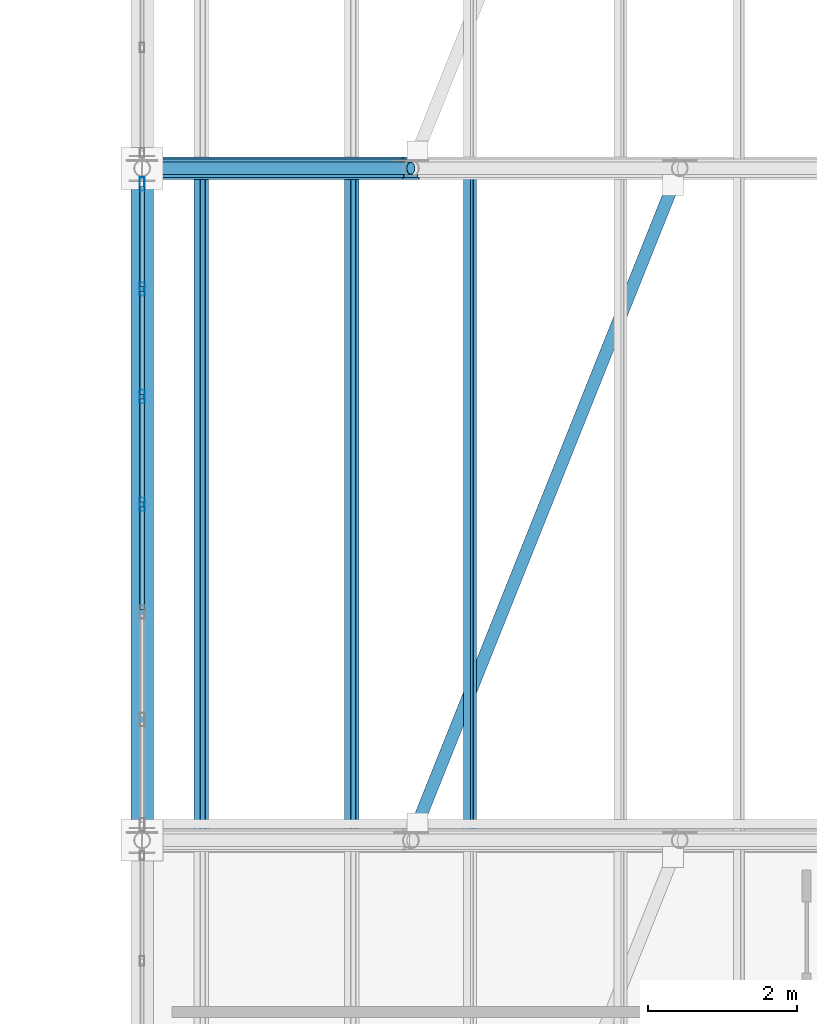
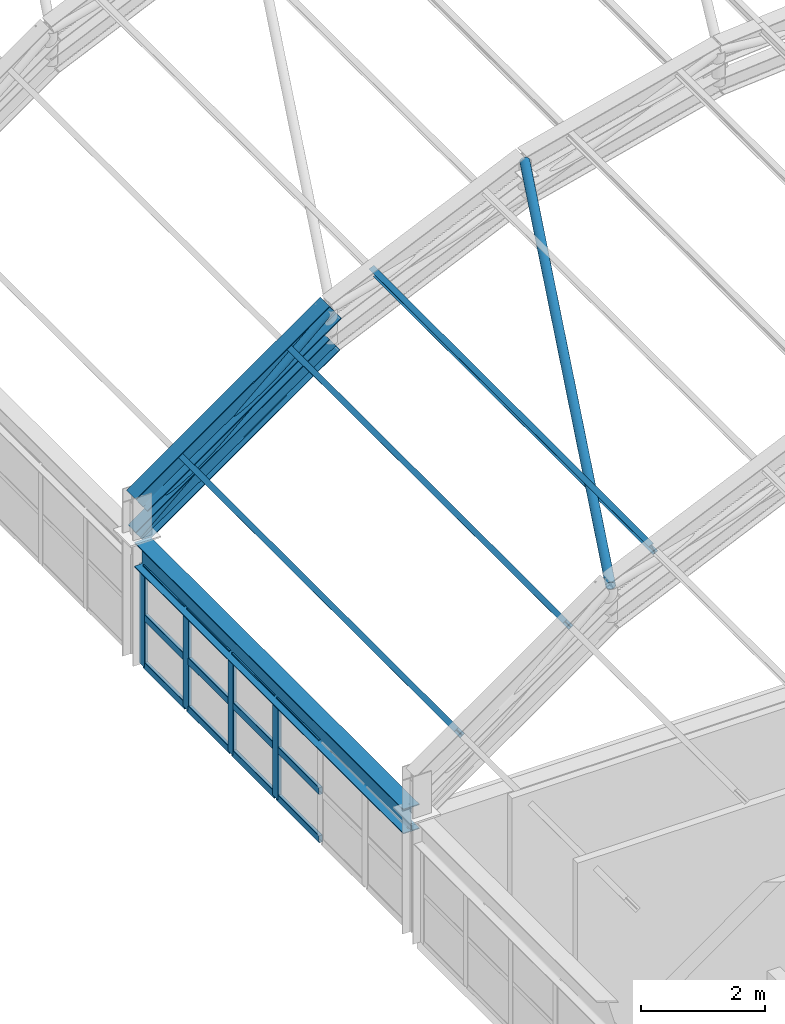
# One storey, part 30 of 121: 22 members, 2 beams, 1 element without a shape of its own.
"""IFC4 building model written with IfcOpenShell, lengths in metres."""

from ifc_helpers import new_model, si_unit, direction, frame, origin, origin_2d, place, context, subcontext, project, spatial, hollow_rectangle, hollow_circle, i_section, extrude, material, material_profile, profile_set, type_object, element, aggregate, save


model = new_model("IFC4")

# Units and contexts
model_context = context("Model", 3, precision=1e-05, world=origin(), true_north=direction((0.0, 1.0)))
body_context = subcontext(model_context, "Body", "Model", "MODEL_VIEW")
ifc_project = project(units=[si_unit("LENGTHUNIT", "METRE"), si_unit("AREAUNIT", "SQUARE_METRE"), si_unit("VOLUMEUNIT", "CUBIC_METRE"), si_unit("PLANEANGLEUNIT", "RADIAN"), si_unit("MASSUNIT", "GRAM", prefix="KILO")], contexts=[model_context])

# Site, building, storey
site_placement = place(None, origin())
site = spatial("IfcSite", under=ifc_project, at=site_placement, CompositionType="ELEMENT")
building_placement = place(site_placement, origin())
building = spatial("IfcBuilding", under=site, at=building_placement, Name="Canglan Escarpment Cableway Terminal", CompositionType="ELEMENT")
storey_placement = place(building_placement, frame((0.0, 0.0, 24.60009765625)))
storey = spatial("IfcBuildingStorey", under=building, at=storey_placement, Name="L05", CompositionType="ELEMENT", Elevation=24.60009765625)

# Beams
ifc_material_1 = material(Name="Steel Q355B", Category="steel")
ifc_material_profile_1 = material_profile(ifc_material_1, i_section(OverallWidth=0.300048828125, OverallDepth=0.389892578125, WebThickness=0.010009765625, FlangeThickness=0.01611328125, FilletRadius=0.02197265625, at=origin_2d()), Name="HM 390x300x10x16")
ifc_profile_set_1 = profile_set([ifc_material_profile_1], Name="Steel Q355B")
beam_type_1 = type_object("IfcBeamType", Name="BM-ARCH-TOP-HM390", PredefinedType="BEAM", material=ifc_profile_set_1)
beam_1_placement = place(storey_placement, frame((137.60009765625, 61.0, 3.08251953125), z_axis=(0.817731009495, 0.0, 0.575600552563), x_axis=(0.0, 1.0, 0.0)))
element("IfcBeam", 1, at=beam_1_placement, inside=storey, type_object=beam_type_1, Name="Vault ROOF TRUSS arch top chord AR-TC1", PredefinedType="BEAM", context=body_context, shape_type="SweptSolid", body=[
    extrude(i_section(OverallWidth=0.300048828125, OverallDepth=0.389892578125, WebThickness=0.010009765625, FlangeThickness=0.01611328125, FilletRadius=0.02197265625, at=origin_2d()), origin(), (0.0, 0.0, 1.0), 4.40234375),
])
ifc_material_profile_2 = material_profile(ifc_material_1, i_section(OverallWidth=0.300048828125, OverallDepth=0.488037109375, WebThickness=0.010986328125, FlangeThickness=0.01806640625, FilletRadius=0.02587890625, at=origin_2d()), Name="HM 488x300x11x18")
ifc_profile_set_2 = profile_set([ifc_material_profile_2], Name="Steel Q355B")
beam_type_2 = type_object("IfcBeamType", Name="BM-HM488", PredefinedType="BEAM", material=ifc_profile_set_2)
beam_2_placement = place(storey_placement, frame((137.60009765625, 52.175048828125, 2.1884765625), z_axis=(0.0, 1.0, 0.0), x_axis=(-1.0, 0.0, 0.0)))
element("IfcBeam", 2, at=beam_2_placement, inside=storey, type_object=beam_type_2, Name="Vault springing ring girder B-09", PredefinedType="BEAM", context=body_context, shape_type="SweptSolid", body=[
    extrude(i_section(OverallWidth=0.300048828125, OverallDepth=0.488037109375, WebThickness=0.010986328125, FlangeThickness=0.01806640625, FilletRadius=0.02587890625, at=origin_2d()), origin(), (0.0, 0.0, 1.0), 8.64990234375),
])

# Curtain wall, members
ifc_material_2 = material(Name="Anodized bronze aluminium and Low-E double glazing", Category="aluminium")
curtain_wall_type = type_object("IfcCurtainWallType", Name="CW-BAY-8650x1950", PredefinedType="NOTDEFINED", material=ifc_material_2)
curtain_wall_placement = place(storey_placement, origin())
curtain_wall = element("IfcCurtainWall", 3, at=curtain_wall_placement, inside=storey, type_object=curtain_wall_type, Name="Classical bay-between-piers glazed curtain wall CW-66", PredefinedType="NOTDEFINED")
ifc_material_3 = material(Name="Thermally broken anodized aluminium 6063-T6", Category="aluminium")
ifc_material_profile_3 = material_profile(ifc_material_3, hollow_rectangle(XDim=0.06494140625, YDim=0.179931640625, WallThickness=0.00390625, InnerFilletRadius=0.00390625, OuterFilletRadius=0.008056640625, at=origin_2d()), Name="ALU-MULL 65x180x4")
ifc_profile_set_3 = profile_set([ifc_material_profile_3], Name="Thermally broken anodized aluminium 6063-T6")
member_type_1 = type_object("IfcMemberType", Name="CWM-03", PredefinedType="MULLION", material=ifc_profile_set_3)
member_1_placement = place(storey_placement, frame((137.60009765625, 60.79248046875, 0.0), z_axis=(0.0, 0.0, 1.0), x_axis=(1.0, 0.0, 0.0)))
member_1 = element("IfcMember", 4, at=member_1_placement, type_object=member_type_1, Name="CW-66 mullion 1", PredefinedType="MULLION", context=body_context, shape_type="SweptSolid", body=[
    extrude(hollow_rectangle(XDim=0.06494140625, YDim=0.179931640625, WallThickness=0.00390625, InnerFilletRadius=0.00390625, OuterFilletRadius=0.008056640625, at=origin_2d()), origin(), (0.0, 0.0, 1.0), 1.949951171875),
])
member_2_placement = place(storey_placement, frame((137.60009765625, 59.38330078125, 0.0), z_axis=(0.0, 0.0, 1.0), x_axis=(1.0, 0.0, 0.0)))
member_2 = element("IfcMember", 5, at=member_2_placement, type_object=member_type_1, Name="CW-66 mullion 2", PredefinedType="MULLION", context=body_context, shape_type="SweptSolid", body=[
    extrude(hollow_rectangle(XDim=0.06494140625, YDim=0.179931640625, WallThickness=0.00390625, InnerFilletRadius=0.00390625, OuterFilletRadius=0.008056640625, at=origin_2d()), origin(), (0.0, 0.0, 1.0), 1.949951171875),
])
member_3_placement = place(storey_placement, frame((137.60009765625, 57.941650390625, 0.0), z_axis=(0.0, 0.0, 1.0), x_axis=(1.0, 0.0, 0.0)))
member_3 = element("IfcMember", 6, at=member_3_placement, type_object=member_type_1, Name="CW-66 mullion 3", PredefinedType="MULLION", context=body_context, shape_type="SweptSolid", body=[
    extrude(hollow_rectangle(XDim=0.06494140625, YDim=0.179931640625, WallThickness=0.00390625, InnerFilletRadius=0.00390625, OuterFilletRadius=0.008056640625, at=origin_2d()), origin(), (0.0, 0.0, 1.0), 1.949951171875),
])
member_4_placement = place(storey_placement, frame((137.60009765625, 56.5, 0.0), z_axis=(0.0, 0.0, 1.0), x_axis=(1.0, 0.0, 0.0)))
member_4 = element("IfcMember", 7, at=member_4_placement, type_object=member_type_1, Name="CW-66 mullion 4", PredefinedType="MULLION", context=body_context, shape_type="SweptSolid", body=[
    extrude(hollow_rectangle(XDim=0.06494140625, YDim=0.179931640625, WallThickness=0.00390625, InnerFilletRadius=0.00390625, OuterFilletRadius=0.008056640625, at=origin_2d()), origin(), (0.0, 0.0, 1.0), 1.949951171875),
])
ifc_material_profile_4 = material_profile(ifc_material_3, hollow_rectangle(XDim=0.06494140625, YDim=0.139892578125, WallThickness=0.00341796875, InnerFilletRadius=0.00341796875, OuterFilletRadius=0.007080078125, at=origin_2d()), Name="ALU-TRAN 65x140x3.5")
ifc_profile_set_4 = profile_set([ifc_material_profile_4], Name="Thermally broken anodized aluminium 6063-T6")
member_type_2 = type_object("IfcMemberType", Name="CWT-03", PredefinedType="USERDEFINED", material=ifc_profile_set_4)
member_5_placement = place(storey_placement, frame((137.60009765625, 60.760009765625, 0.032470703125), z_axis=(0.0, -1.0, 0.0), x_axis=(1.0, 0.0, 0.0)))
member_5 = element("IfcMember", 8, at=member_5_placement, type_object=member_type_2, Name="CW-66 transom 1.1", ObjectType="TRANSOM", PredefinedType="USERDEFINED", context=body_context, shape_type="SweptSolid", body=[
    extrude(hollow_rectangle(XDim=0.06494140625, YDim=0.139892578125, WallThickness=0.00341796875, InnerFilletRadius=0.00341796875, OuterFilletRadius=0.007080078125, at=origin_2d()), origin(), (0.0, 0.0, 1.0), 1.34423828125),
])
member_6_placement = place(storey_placement, frame((137.60009765625, 60.760009765625, 0.974853515625), z_axis=(0.0, -1.0, 0.0), x_axis=(1.0, 0.0, 0.0)))
member_6 = element("IfcMember", 9, at=member_6_placement, type_object=member_type_2, Name="CW-66 transom 1.2", ObjectType="TRANSOM", PredefinedType="USERDEFINED", context=body_context, shape_type="SweptSolid", body=[
    extrude(hollow_rectangle(XDim=0.06494140625, YDim=0.139892578125, WallThickness=0.00341796875, InnerFilletRadius=0.00341796875, OuterFilletRadius=0.007080078125, at=origin_2d()), origin(), (0.0, 0.0, 1.0), 1.34423828125),
])
member_7_placement = place(storey_placement, frame((137.60009765625, 60.760009765625, 1.91748046875), z_axis=(0.0, -1.0, 0.0), x_axis=(1.0, 0.0, 0.0)))
member_7 = element("IfcMember", 10, at=member_7_placement, type_object=member_type_2, Name="CW-66 transom 1.3", ObjectType="TRANSOM", PredefinedType="USERDEFINED", context=body_context, shape_type="SweptSolid", body=[
    extrude(hollow_rectangle(XDim=0.06494140625, YDim=0.139892578125, WallThickness=0.00341796875, InnerFilletRadius=0.00341796875, OuterFilletRadius=0.007080078125, at=origin_2d()), origin(), (0.0, 0.0, 1.0), 1.34423828125),
])
member_8_placement = place(storey_placement, frame((137.60009765625, 59.350830078125, 0.032470703125), z_axis=(0.0, -1.0, 0.0), x_axis=(1.0, 0.0, 0.0)))
member_8 = element("IfcMember", 11, at=member_8_placement, type_object=member_type_2, Name="CW-66 transom 2.1", ObjectType="TRANSOM", PredefinedType="USERDEFINED", context=body_context, shape_type="SweptSolid", body=[
    extrude(hollow_rectangle(XDim=0.06494140625, YDim=0.139892578125, WallThickness=0.00341796875, InnerFilletRadius=0.00341796875, OuterFilletRadius=0.007080078125, at=origin_2d()), origin(), (0.0, 0.0, 1.0), 1.376708984375),
])
member_9_placement = place(storey_placement, frame((137.60009765625, 59.350830078125, 0.974853515625), z_axis=(0.0, -1.0, 0.0), x_axis=(1.0, 0.0, 0.0)))
member_9 = element("IfcMember", 12, at=member_9_placement, type_object=member_type_2, Name="CW-66 transom 2.2", ObjectType="TRANSOM", PredefinedType="USERDEFINED", context=body_context, shape_type="SweptSolid", body=[
    extrude(hollow_rectangle(XDim=0.06494140625, YDim=0.139892578125, WallThickness=0.00341796875, InnerFilletRadius=0.00341796875, OuterFilletRadius=0.007080078125, at=origin_2d()), origin(), (0.0, 0.0, 1.0), 1.376708984375),
])
member_10_placement = place(storey_placement, frame((137.60009765625, 59.350830078125, 1.91748046875), z_axis=(0.0, -1.0, 0.0), x_axis=(1.0, 0.0, 0.0)))
member_10 = element("IfcMember", 13, at=member_10_placement, type_object=member_type_2, Name="CW-66 transom 2.3", ObjectType="TRANSOM", PredefinedType="USERDEFINED", context=body_context, shape_type="SweptSolid", body=[
    extrude(hollow_rectangle(XDim=0.06494140625, YDim=0.139892578125, WallThickness=0.00341796875, InnerFilletRadius=0.00341796875, OuterFilletRadius=0.007080078125, at=origin_2d()), origin(), (0.0, 0.0, 1.0), 1.376708984375),
])
member_11_placement = place(storey_placement, frame((137.60009765625, 57.9091796875, 0.032470703125), z_axis=(0.0, -1.0, 0.0), x_axis=(1.0, 0.0, 0.0)))
member_11 = element("IfcMember", 14, at=member_11_placement, type_object=member_type_2, Name="CW-66 transom 3.1", ObjectType="TRANSOM", PredefinedType="USERDEFINED", context=body_context, shape_type="SweptSolid", body=[
    extrude(hollow_rectangle(XDim=0.06494140625, YDim=0.139892578125, WallThickness=0.00341796875, InnerFilletRadius=0.00341796875, OuterFilletRadius=0.007080078125, at=origin_2d()), origin(), (0.0, 0.0, 1.0), 1.376708984375),
])
member_12_placement = place(storey_placement, frame((137.60009765625, 57.9091796875, 0.974853515625), z_axis=(0.0, -1.0, 0.0), x_axis=(1.0, 0.0, 0.0)))
member_12 = element("IfcMember", 15, at=member_12_placement, type_object=member_type_2, Name="CW-66 transom 3.2", ObjectType="TRANSOM", PredefinedType="USERDEFINED", context=body_context, shape_type="SweptSolid", body=[
    extrude(hollow_rectangle(XDim=0.06494140625, YDim=0.139892578125, WallThickness=0.00341796875, InnerFilletRadius=0.00341796875, OuterFilletRadius=0.007080078125, at=origin_2d()), origin(), (0.0, 0.0, 1.0), 1.376708984375),
])
member_13_placement = place(storey_placement, frame((137.60009765625, 57.9091796875, 1.91748046875), z_axis=(0.0, -1.0, 0.0), x_axis=(1.0, 0.0, 0.0)))
member_13 = element("IfcMember", 16, at=member_13_placement, type_object=member_type_2, Name="CW-66 transom 3.3", ObjectType="TRANSOM", PredefinedType="USERDEFINED", context=body_context, shape_type="SweptSolid", body=[
    extrude(hollow_rectangle(XDim=0.06494140625, YDim=0.139892578125, WallThickness=0.00341796875, InnerFilletRadius=0.00341796875, OuterFilletRadius=0.007080078125, at=origin_2d()), origin(), (0.0, 0.0, 1.0), 1.376708984375),
])
member_14_placement = place(storey_placement, frame((137.60009765625, 56.467529296875, 0.032470703125), z_axis=(0.0, -1.0, 0.0), x_axis=(1.0, 0.0, 0.0)))
member_14 = element("IfcMember", 17, at=member_14_placement, type_object=member_type_2, Name="CW-66 transom 4.1", ObjectType="TRANSOM", PredefinedType="USERDEFINED", context=body_context, shape_type="SweptSolid", body=[
    extrude(hollow_rectangle(XDim=0.06494140625, YDim=0.139892578125, WallThickness=0.00341796875, InnerFilletRadius=0.00341796875, OuterFilletRadius=0.007080078125, at=origin_2d()), origin(), (0.0, 0.0, 1.0), 1.376708984375),
])
member_15_placement = place(storey_placement, frame((137.60009765625, 56.467529296875, 0.974853515625), z_axis=(0.0, -1.0, 0.0), x_axis=(1.0, 0.0, 0.0)))
member_15 = element("IfcMember", 18, at=member_15_placement, type_object=member_type_2, Name="CW-66 transom 4.2", ObjectType="TRANSOM", PredefinedType="USERDEFINED", context=body_context, shape_type="SweptSolid", body=[
    extrude(hollow_rectangle(XDim=0.06494140625, YDim=0.139892578125, WallThickness=0.00341796875, InnerFilletRadius=0.00341796875, OuterFilletRadius=0.007080078125, at=origin_2d()), origin(), (0.0, 0.0, 1.0), 1.376708984375),
])
member_16_placement = place(storey_placement, frame((137.60009765625, 56.467529296875, 1.91748046875), z_axis=(0.0, -1.0, 0.0), x_axis=(1.0, 0.0, 0.0)))
member_16 = element("IfcMember", 19, at=member_16_placement, type_object=member_type_2, Name="CW-66 transom 4.3", ObjectType="TRANSOM", PredefinedType="USERDEFINED", context=body_context, shape_type="SweptSolid", body=[
    extrude(hollow_rectangle(XDim=0.06494140625, YDim=0.139892578125, WallThickness=0.00341796875, InnerFilletRadius=0.00341796875, OuterFilletRadius=0.007080078125, at=origin_2d()), origin(), (0.0, 0.0, 1.0), 1.376708984375),
])
aggregate(curtain_wall, [member_1, member_2, member_3, member_4, member_5, member_6, member_7, member_8, member_9, member_10, member_11, member_12, member_13, member_14, member_15, member_16])

# Members
ifc_material_profile_5 = material_profile(ifc_material_1, i_section(OverallWidth=0.25, OverallDepth=0.340087890625, WebThickness=0.009033203125, FlangeThickness=0.013916015625, FilletRadius=0.02001953125, at=origin_2d()), Name="HM 340x250x9x14")
ifc_profile_set_5 = profile_set([ifc_material_profile_5], Name="Steel Q355B")
member_type_3 = type_object("IfcMemberType", Name="MB-ARCH-BOT-HM340", PredefinedType="CHORD", material=ifc_profile_set_5)
member_17_placement = place(storey_placement, frame((137.60009765625, 61.0, 2.432373046875), z_axis=(0.81770490607, 0.0, 0.575637634792), x_axis=(0.0, 1.0, 0.0)))
element("IfcMember", 20, at=member_17_placement, inside=storey, type_object=member_type_3, Name="Vault ROOF TRUSS arch bottom chord AR-BC1", PredefinedType="CHORD", context=body_context, shape_type="SweptSolid", body=[
    extrude(i_section(OverallWidth=0.25, OverallDepth=0.340087890625, WebThickness=0.009033203125, FlangeThickness=0.013916015625, FilletRadius=0.02001953125, at=origin_2d()), origin(), (0.0, 0.0, 1.0), 4.40234375),
])
ifc_material_profile_6 = material_profile(ifc_material_1, hollow_circle(Radius=0.084228515625, WallThickness=0.006103515625, at=origin_2d()), Name="CHS 168.3x6")
ifc_profile_set_6 = profile_set([ifc_material_profile_6], Name="Steel Q355B")
member_type_4 = type_object("IfcMemberType", Name="MB-ARCH-DIAG-CHS168", PredefinedType="BRACE", material=ifc_profile_set_6)
member_18_placement = place(storey_placement, frame((137.60009765625, 61.0, 2.432373046875), z_axis=(0.749038254518, 0.0, 0.662526749096), x_axis=(0.0, 1.0, 0.0)))
element("IfcMember", 21, at=member_18_placement, inside=storey, type_object=member_type_4, Name="Vault ROOF TRUSS web diagonal AR-DG1", PredefinedType="BRACE", context=body_context, shape_type="SweptSolid", body=[
    extrude(hollow_circle(Radius=0.084228515625, WallThickness=0.006103515625, at=origin_2d()), origin(), (0.0, 0.0, 1.0), 4.805908203125),
])
ifc_material_profile_7 = material_profile(ifc_material_1, hollow_circle(Radius=0.084228515625, WallThickness=0.006103515625, at=origin_2d()), Name="CHS 168.3x6")
ifc_profile_set_7 = profile_set([ifc_material_profile_7], Name="Steel Q355B")
member_type_5 = type_object("IfcMemberType", Name="MB-ROOF-BR-CHS168", PredefinedType="BRACE", material=ifc_profile_set_7)
member_19_placement = place(storey_placement, frame((141.199951171875, 52.0, 5.616455078125), z_axis=(0.366307573698, 0.915744093096, 0.165019748547), x_axis=(-0.928473216852, 0.37139936132, 0.0)))
element("IfcMember", 22, at=member_19_placement, inside=storey, type_object=member_type_5, Name="Vault roof plane wind brace BR-03", PredefinedType="BRACE", context=body_context, shape_type="SweptSolid", body=[
    extrude(hollow_circle(Radius=0.084228515625, WallThickness=0.006103515625, at=origin_2d()), origin(), (0.0, 0.0, 1.0), 9.828125),
])
ifc_material_profile_8 = material_profile(ifc_material_1, i_section(OverallWidth=0.10009765625, OverallDepth=0.199951171875, WebThickness=0.005615234375, FlangeThickness=0.008056640625, FilletRadius=0.010986328125, at=origin_2d()), Name="HN 200x100x5.5x8")
ifc_profile_set_8 = profile_set([ifc_material_profile_8], Name="Steel Q355B")
member_type_6 = type_object("IfcMemberType", Name="MB-VAULT-PUR-HN200", PredefinedType="PURLIN", material=ifc_profile_set_8)
for number, where, z_axis, x_axis, name in (
    (23, (138.39208984375, 52.0, 3.712890625), (0.0, 1.0, 0.0), (-0.817727996784, 0.0, -0.575604832568), "Barrel-vault roof purlin PR-01"),
    (24, (140.407958984375, 52.0, 5.1318359375), (0.0, 1.0, 0.0), (-0.817727996784, 0.0, -0.575604832568), "Barrel-vault roof purlin PR-01"),
    (25, (141.991943359375, 52.0, 6.059814453125), (0.0, 1.0, 0.0), (-0.911740537138, 0.0, -0.410766591799), "Barrel-vault roof purlin PR-01"),
):
    element("IfcMember", number, at=place(storey_placement, frame(where, z_axis=z_axis, x_axis=x_axis)), inside=storey, type_object=member_type_6, Name=name, PredefinedType="PURLIN", context=body_context, shape_type="SweptSolid", body=[
        extrude(i_section(OverallWidth=0.10009765625, OverallDepth=0.199951171875, WebThickness=0.005615234375, FlangeThickness=0.008056640625, FilletRadius=0.010986328125, at=origin_2d()), origin(), (0.0, 0.0, 1.0), 9.0),
    ])

save(model, "model.ifc")
